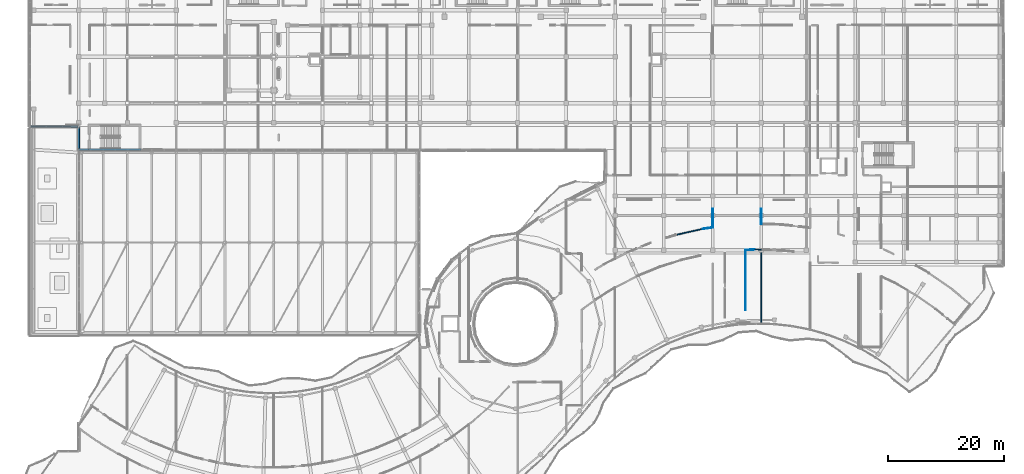
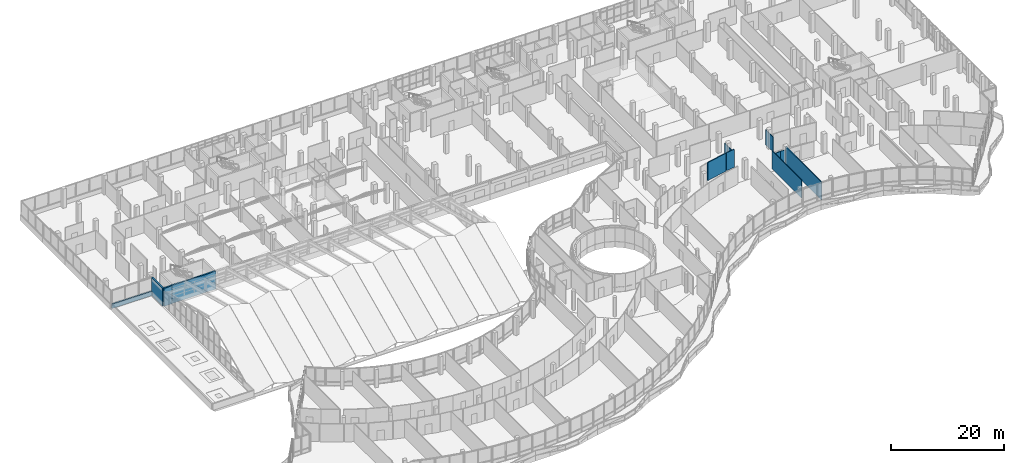
# One storey, part 164 of 184: 12 walls.
"""IFC4 building model written with IfcOpenShell, lengths in metres."""

from ifc_helpers import new_model, si_unit, direction, frame, frame_2d, origin, place, context, subcontext, project, spatial, rectangle, extrude, material, layer, layer_set, type_object, element, save


model = new_model("IFC4")

# Units and contexts
model_context = context("Model", 3, precision=1e-05, world=origin(), true_north=direction((0.0, 1.0)))
body_context = subcontext(model_context, "Body", "Model", "MODEL_VIEW")
ifc_project = project(units=[si_unit("LENGTHUNIT", "METRE"), si_unit("AREAUNIT", "SQUARE_METRE"), si_unit("VOLUMEUNIT", "CUBIC_METRE"), si_unit("PLANEANGLEUNIT", "RADIAN"), si_unit("MASSUNIT", "GRAM", prefix="KILO")], contexts=[model_context])

# Site, building, storey
site_placement = place(None, origin())
site = spatial("IfcSite", under=ifc_project, at=site_placement, CompositionType="ELEMENT")
building_placement = place(site_placement, origin())
building = spatial("IfcBuilding", under=site, at=building_placement, Name="Selatvlak General Hospital", CompositionType="ELEMENT")
storey_placement = place(building_placement, frame((0.0, 0.0, 15.0)))
storey = spatial("IfcBuildingStorey", under=building, at=storey_placement, Name="L03", CompositionType="ELEMENT", Elevation=15.0)

# Walls
ifc_material_1 = material(Name="Precast concrete C40/50 - white fair-faced", Category="concrete")
ifc_layer_1 = layer(ifc_material_1, 0.300048828125, Name="Precast concrete C40/50 - white fair-faced", Category="concrete")
ifc_layer_set_1 = layer_set([ifc_layer_1], Name="Precast concrete C40/50 - white fair-faced")
wall_type_1 = type_object("IfcWallType", Name="WALL-EW-01", PredefinedType="SOLIDWALL", material=ifc_layer_set_1)
wall_1_placement = place(storey_placement, frame((24.47998046875, 83.9990234375, 0.0), z_axis=(0.0, 0.0, 1.0), x_axis=(-0.999999830842, 0.000581648876, 0.0)))
element("IfcWall", 1, at=wall_1_placement, inside=storey, type_object=wall_type_1, Name="L03 exterior wall 0399", PredefinedType="SOLIDWALL", context=body_context, shape_type="SweptSolid", body=[
    extrude(rectangle(XDim=1.678955078125, YDim=0.300048828125, at=frame_2d((0.83935546875, 0.0))), origin(), (0.0, 0.0, 1.0), 3.89501953125),
])
wall_2_placement = place(storey_placement, frame((22.801025390625, 84.0, 0.0), z_axis=(0.0, 0.0, 1.0), x_axis=(-0.000247862181, 0.999999969282, 0.0)))
element("IfcWall", 2, at=wall_2_placement, inside=storey, type_object=wall_type_1, Name="L03 exterior wall 0400", PredefinedType="SOLIDWALL", context=body_context, shape_type="SweptSolid", body=[
    extrude(rectangle(XDim=3.93994140625, YDim=0.300048828125, at=frame_2d((1.969970703125, 0.0))), origin(), (0.0, 0.0, 1.0), 3.89501953125),
])
ifc_material_2 = material(Name="Precast concrete C40/50 - white Bauhaus spandrel", Category="concrete")
ifc_layer_2 = layer(ifc_material_2, 0.280029296875, Name="Precast concrete C40/50 - white Bauhaus spandrel", Category="concrete")
ifc_layer_set_2 = layer_set([ifc_layer_2], Name="Precast concrete C40/50 - white Bauhaus spandrel")
wall_type_2 = type_object("IfcWallType", Name="WALL-EW-02", PredefinedType="SOLIDWALL", material=ifc_layer_set_2)
wall_3_placement = place(storey_placement, frame((22.659912109375, 87.94091796875, 0.0), z_axis=(0.0, 0.0, 1.0), x_axis=(-0.999974397117, 0.007155774573, 0.0)))
element("IfcWall", 3, at=wall_3_placement, inside=storey, type_object=wall_type_2, Name="L03 Bauhaus spandrel sill wall 0401", PredefinedType="SOLIDWALL", context=body_context, shape_type="SweptSolid", body=[
    extrude(rectangle(XDim=8.1201171875, YDim=0.280029296875, at=frame_2d((4.06005859375, 0.0))), origin(), (0.0, 0.0, 1.0), 0.93994140625),
])
ifc_material_3 = material(Name="Acoustic gypsum stud partition")
ifc_layer_3 = layer(ifc_material_3, 0.179931640625, Name="Acoustic gypsum stud partition")
ifc_layer_set_3 = layer_set([ifc_layer_3], Name="Acoustic gypsum stud partition")
wall_type_3 = type_object("IfcWallType", Name="WALL-PT-01", PredefinedType="PARTITIONING", material=ifc_layer_set_3)
wall_4_placement = place(storey_placement, frame((130.10791015625, 70.305908203125, 0.0), z_axis=(0.0, 0.0, 1.0), x_axis=(-0.975583344842, -0.219629545521, 0.0)))
element("IfcWall", 4, at=wall_4_placement, inside=storey, type_object=wall_type_3, Name="L03 clinical partition PT-L03-1500", PredefinedType="PARTITIONING", context=body_context, shape_type="SweptSolid", body=[
    extrude(rectangle(XDim=4.3564453125, YDim=0.179931640625, at=frame_2d((2.17822265625, 0.0))), origin(), (0.0, 0.0, 1.0), 3.89501953125),
])
wall_5_placement = place(storey_placement, frame((140.39990234375, 66.7529296875, 0.0), z_axis=(0.0, 0.0, 1.0), x_axis=(0.0, -1.0, 0.0)))
element("IfcWall", 5, at=wall_5_placement, inside=storey, type_object=wall_type_3, Name="L03 clinical partition PT-L03-1510", PredefinedType="PARTITIONING", context=body_context, shape_type="SweptSolid", body=[
    extrude(rectangle(XDim=12.77099609375, YDim=0.179931640625, at=frame_2d((6.385498046875, 0.0))), origin(), (0.0, 0.0, 1.0), 3.89501953125),
])
ifc_layer_4 = layer(ifc_material_3, 0.1650390625, Name="Acoustic gypsum stud partition")
ifc_layer_set_4 = layer_set([ifc_layer_4], Name="Acoustic gypsum stud partition")
wall_type_4 = type_object("IfcWallType", Name="WALL-PT-02", PredefinedType="PARTITIONING", material=ifc_layer_set_4)
wall_6_placement = place(storey_placement, frame((132.0, 73.7900390625, 0.0), z_axis=(0.0, 0.0, 1.0), x_axis=(0.0, -1.0, 0.0)))
element("IfcWall", 6, at=wall_6_placement, inside=storey, type_object=wall_type_4, Name="L03 clinical partition PT-L03-1498", PredefinedType="PARTITIONING", context=body_context, shape_type="SweptSolid", body=[
    extrude(rectangle(XDim=3.212158203125, YDim=0.1650390625, at=frame_2d((1.60595703125, 0.0))), origin(), (0.0, 0.0, 1.0), 3.2451171875),
])
ifc_layer_5 = layer(ifc_material_3, 0.14990234375, Name="Acoustic gypsum stud partition")
ifc_layer_set_5 = layer_set([ifc_layer_5], Name="Acoustic gypsum stud partition")
wall_type_5 = type_object("IfcWallType", Name="WALL-PT-03", PredefinedType="PARTITIONING", material=ifc_layer_set_5)
wall_7_placement = place(storey_placement, frame((137.659912109375, 56.303955078125, 0.0), z_axis=(0.0, 0.0, 1.0), x_axis=(0.0, 1.0, 0.0)))
element("IfcWall", 7, at=wall_7_placement, inside=storey, type_object=wall_type_5, Name="L03 clinical partition PT-L03-1507", PredefinedType="PARTITIONING", context=body_context, shape_type="SweptSolid", body=[
    extrude(rectangle(XDim=10.38916015625, YDim=0.14990234375, at=frame_2d((5.194580078125, 0.0))), origin(), (0.0, 0.0, 1.0), 3.89501953125),
])
ifc_material_4 = material(Name="Moisture-resistant clinical partition")
ifc_layer_6 = layer(ifc_material_4, 0.135009765625, Name="Moisture-resistant clinical partition")
ifc_layer_set_6 = layer_set([ifc_layer_6], Name="Moisture-resistant clinical partition")
wall_type_6 = type_object("IfcWallType", Name="WALL-PT-04", PredefinedType="PARTITIONING", material=ifc_layer_set_6)
wall_8_placement = place(storey_placement, frame((132.0, 70.577880859375, 0.0), z_axis=(0.0, 0.0, 1.0), x_axis=(-0.990423758249, -0.13806078044, 0.0)))
element("IfcWall", 8, at=wall_8_placement, inside=storey, type_object=wall_type_6, Name="L03 clinical partition PT-L03-1499", PredefinedType="PARTITIONING", context=body_context, shape_type="SweptSolid", body=[
    extrude(rectangle(XDim=1.7294921875, YDim=0.135009765625, at=frame_2d((0.86474609375, 0.0))), origin(), (0.0, 0.0, 1.0), 3.89501953125),
])
wall_9_placement = place(storey_placement, frame((137.659912109375, 66.693115234375, 0.0), z_axis=(0.0, 0.0, 1.0), x_axis=(0.998484643385, 0.055031054181, 0.0)))
element("IfcWall", 9, at=wall_9_placement, inside=storey, type_object=wall_type_6, Name="L03 clinical partition PT-L03-1508", PredefinedType="PARTITIONING", context=body_context, shape_type="SweptSolid", body=[
    extrude(rectangle(XDim=1.632568359375, YDim=0.135009765625, at=frame_2d((0.81640625, 0.0))), origin(), (0.0, 0.0, 1.0), 3.195068359375),
])
wall_10_placement = place(storey_placement, frame((140.39990234375, 71.174072265625, 0.0), z_axis=(0.0, 0.0, 1.0), x_axis=(0.0, 1.0, 0.0)))
element("IfcWall", 10, at=wall_10_placement, inside=storey, type_object=wall_type_6, Name="L03 clinical partition PT-L03-1518", PredefinedType="PARTITIONING", context=body_context, shape_type="SweptSolid", body=[
    extrude(rectangle(XDim=2.615966796875, YDim=0.135009765625, at=frame_2d((1.30810546875, 0.0))), origin(), (0.0, 0.0, 1.0), 3.2451171875),
])
ifc_layer_7 = layer(ifc_material_4, 0.1201171875, Name="Moisture-resistant clinical partition")
ifc_layer_set_7 = layer_set([ifc_layer_7], Name="Moisture-resistant clinical partition")
wall_type_7 = type_object("IfcWallType", Name="WALL-PT-05", PredefinedType="PARTITIONING", material=ifc_layer_set_7)
wall_11_placement = place(storey_placement, frame((139.2900390625, 66.782958984375, 0.0), z_axis=(0.0, 0.0, 1.0), x_axis=(0.999634166902, -0.027046854934, 0.0)))
element("IfcWall", 11, at=wall_11_placement, inside=storey, type_object=wall_type_7, Name="L03 clinical partition PT-L03-1509", PredefinedType="PARTITIONING", context=body_context, shape_type="SweptSolid", body=[
    extrude(rectangle(XDim=1.1103515625, YDim=0.1201171875, at=frame_2d((0.55517578125, 0.0))), origin(), (0.0, 0.0, 1.0), 3.195068359375),
])
ifc_material_5 = material(Name="Concrete C45/55", Category="concrete")
ifc_layer_8 = layer(ifc_material_5, 0.300048828125, Name="Concrete C45/55", Category="concrete")
ifc_layer_set_8 = layer_set([ifc_layer_8], Name="Concrete C45/55")
wall_type_8 = type_object("IfcWallType", Name="WALL-SW-02", PredefinedType="SHEAR", material=ifc_layer_set_8)
wall_12_placement = place(storey_placement, frame((24.489990234375, 84.0400390625, 0.0), z_axis=(0.0, 0.0, 1.0), x_axis=(1.0, 0.0, 0.0)))
element("IfcWall", 12, at=wall_12_placement, inside=storey, type_object=wall_type_8, Name="ST-07 core shear wall L03 S", PredefinedType="SHEAR", context=body_context, shape_type="SweptSolid", body=[
    extrude(rectangle(XDim=9.02001953125, YDim=0.300048828125, at=frame_2d((4.510009765625, 0.0))), origin(), (0.0, 0.0, 1.0), 3.89501953125),
])

save(model, "model.ifc")
